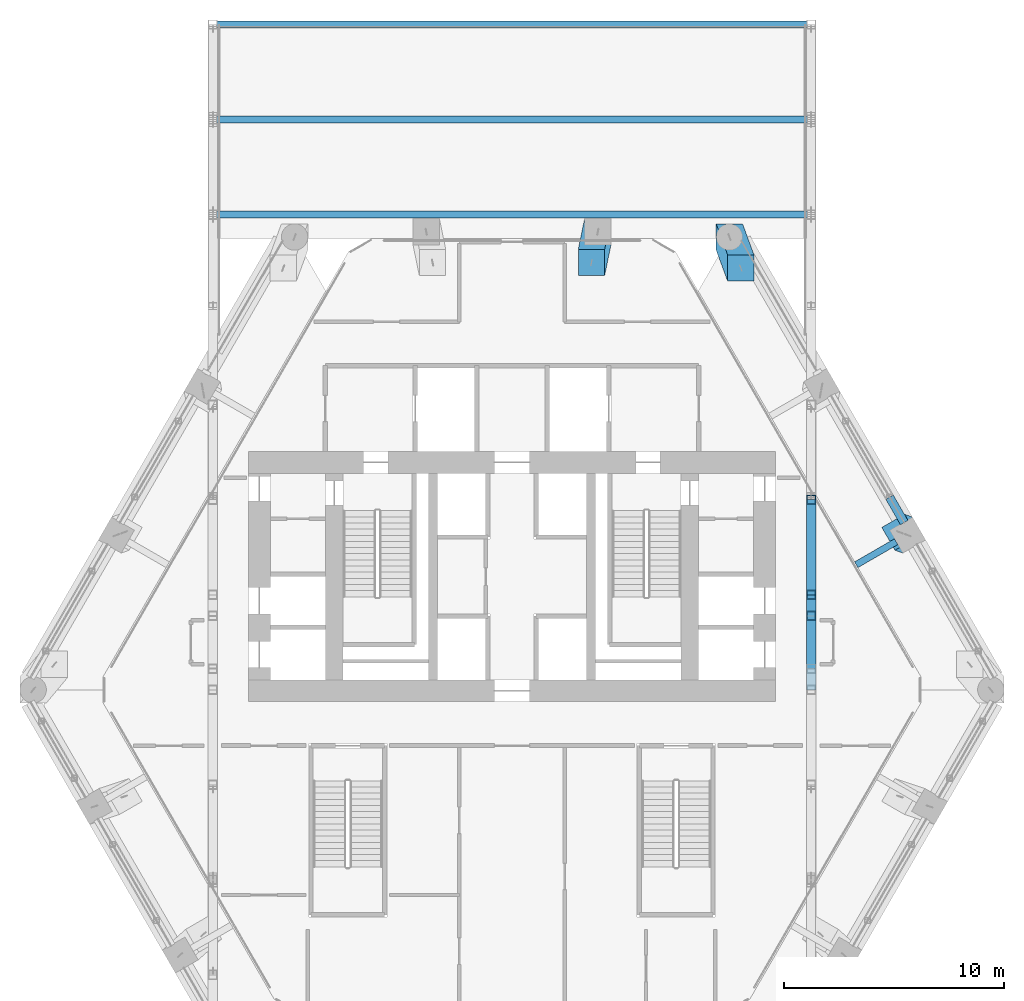
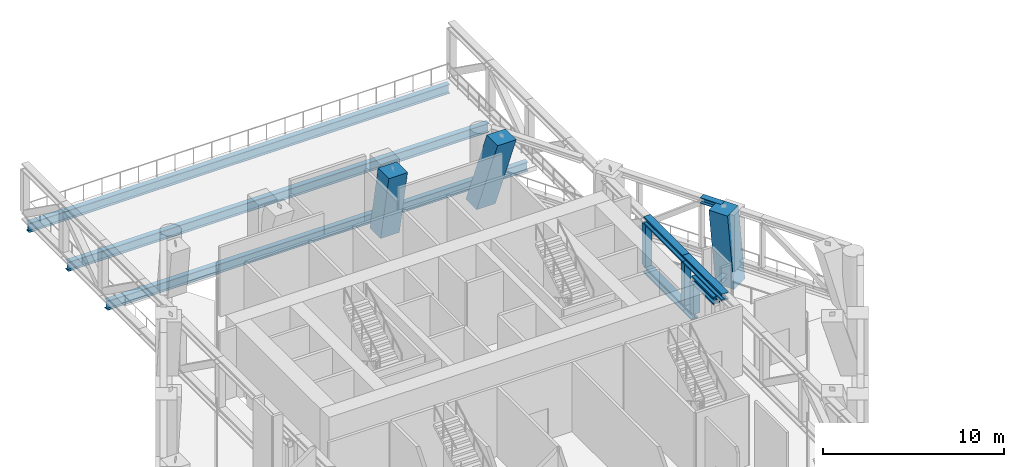
# One storey, part 7 of 22: 12 members, 4 beams.
"""IFC4 building model written with IfcOpenShell, lengths in metres."""

from ifc_helpers import new_model, si_unit, direction, frame, origin, origin_2d, place, context, subcontext, project, spatial, rectangle, hollow_rectangle, i_section, extrude, material, material_profile, profile_set, type_object, element, save


model = new_model("IFC4")

# Units and contexts
model_context = context("Model", 3, precision=1e-05, world=origin(), true_north=direction((0.0, 1.0)))
body_context = subcontext(model_context, "Body", "Model", "MODEL_VIEW")
ifc_project = project(units=[si_unit("LENGTHUNIT", "METRE"), si_unit("AREAUNIT", "SQUARE_METRE"), si_unit("VOLUMEUNIT", "CUBIC_METRE"), si_unit("PLANEANGLEUNIT", "RADIAN"), si_unit("MASSUNIT", "GRAM", prefix="KILO")], contexts=[model_context])

# Site, building, storey
site_placement = place(None, origin())
site = spatial("IfcSite", under=ifc_project, at=site_placement, CompositionType="ELEMENT")
building_placement = place(site_placement, origin())
building = spatial("IfcBuilding", under=site, at=building_placement, Name="Ostrander Bayou Hotel Tower", CompositionType="ELEMENT")
storey_placement = place(building_placement, frame((0.0, 0.0, 146.0)))
storey = spatial("IfcBuildingStorey", under=building, at=storey_placement, Name="L36", CompositionType="ELEMENT", Elevation=146.0)

# Members
ifc_material_1 = material(Name="Steel ASTM A992", Category="steel")
ifc_material_profile_1 = material_profile(ifc_material_1, i_section(OverallWidth=0.3955078125, OverallDepth=0.38037109375, WebThickness=0.01904296875, FlangeThickness=0.0302734375, at=origin_2d()))
ifc_profile_set_1 = profile_set([ifc_material_profile_1], Name="Steel ASTM A992")
member_type_1 = type_object("IfcMemberType", Name="BT3 belt truss chord W14x159", PredefinedType="CHORD", material=ifc_profile_set_1)
member_1_placement = place(storey_placement, frame((17.857421875, 6.45703125, 3.60986328125), z_axis=(-0.499975827765, 0.866039359181, 0.0), x_axis=(-0.866039359181, -0.499975827765, 0.0)))
element("IfcMember", 1, at=member_1_placement, inside=storey, type_object=member_type_1, Name="BT3 L36 NE-2T1", PredefinedType="CHORD", context=body_context, shape_type="SweptSolid", body=[
    extrude(i_section(OverallWidth=0.3955078125, OverallDepth=0.38037109375, WebThickness=0.01904296875, FlangeThickness=0.0302734375, at=origin_2d()), origin(), (0.0, 0.0, 1.0), 1.33447265625),
])
ifc_material_2 = material(Name="Concrete f'c 70 MPa", Category="concrete")
ifc_material_profile_2 = material_profile(ifc_material_2, rectangle(XDim=1.199951171875, YDim=1.199951171875, at=origin_2d()))
ifc_profile_set_2 = profile_set([ifc_material_profile_2], Name="Concrete f'c 70 MPa")
member_type_2 = type_object("IfcMemberType", Name="KC2 kinked column 1200 x 1200 mm f'c 70 MPa", PredefinedType="STRUT", material=ifc_profile_set_2)
member_2_placement = place(storey_placement, frame((9.899169921875, 19.458740234375, -1.199951171875), z_axis=(0.0, 0.0, 1.0), x_axis=(1.0, 0.0, 0.0)))
element("IfcMember", 2, at=member_2_placement, inside=storey, type_object=member_type_2, Name="KC2 L36 K5", PredefinedType="STRUT", context=body_context, shape_type="SweptSolid", body=[
    extrude(rectangle(XDim=1.199951171875, YDim=1.199951171875, at=origin_2d()), origin(), (0.099446059846, -0.270659727526, 0.95752482635), 5.2216796875),
])
member_3_placement = place(storey_placement, frame((3.90673828125, 19.699951171875, -1.199951171875), z_axis=(0.0, 0.0, 1.0), x_axis=(1.0, 0.0, 0.0)))
element("IfcMember", 3, at=member_3_placement, inside=storey, type_object=member_type_2, Name="KC2 L36 N1", PredefinedType="STRUT", context=body_context, shape_type="SweptSolid", body=[
    extrude(rectangle(XDim=1.199951171875, YDim=1.199951171875, at=origin_2d()), origin(), (-0.055491962132, -0.269197048107, 0.961485096832), 5.2001953125),
])
member_4_placement = place(storey_placement, frame((18.012451171875, 5.888427734375, -1.199951171875), z_axis=(0.0, 0.0, 1.0), x_axis=(0.5, -0.866025403784, 0.0)))
element("IfcMember", 4, at=member_4_placement, inside=storey, type_object=member_type_2, Name="KC2 L36 NE1", PredefinedType="STRUT", context=body_context, shape_type="SweptSolid", body=[
    extrude(rectangle(XDim=1.199951171875, YDim=1.199951171875, at=origin_2d()), origin(), (-0.057558879704, -0.048570984224, 0.997159884301), 5.01416015625),
])

# Beams
ifc_material_3 = material(Name="Steel ASTM A992", Category="steel")
ifc_material_profile_3 = material_profile(ifc_material_3, i_section(OverallWidth=0.3046875, OverallDepth=0.307861328125, WebThickness=0.010009765625, FlangeThickness=0.015380859375, at=origin_2d()))
ifc_profile_set_3 = profile_set([ifc_material_profile_3], Name="Steel ASTM A992")
beam_type_1 = type_object("IfcBeamType", Name="LB1 loggia bracket W12x65", PredefinedType="BEAM", material=ifc_profile_set_3)
beam_placement = place(storey_placement, frame((17.492919921875, 5.58837890625, -0.453857421875), z_axis=(-0.866009402589, -0.500027713859, 0.0), x_axis=(0.500027713859, -0.866009402589, 0.0)))
element("IfcBeam", 5, at=beam_placement, inside=storey, type_object=beam_type_1, Name="LB1 L36 NE1", PredefinedType="BEAM", context=body_context, shape_type="SweptSolid", body=[
    extrude(i_section(OverallWidth=0.3046875, OverallDepth=0.307861328125, WebThickness=0.010009765625, FlangeThickness=0.015380859375, at=origin_2d()), origin(), (0.0, 0.0, 1.0), 2.10009765625),
])
ifc_material_4 = material(Name="Steel ASTM A992", Category="steel")
ifc_material_profile_4 = material_profile(ifc_material_4, i_section(OverallWidth=0.32763671875, OverallDepth=0.621826171875, WebThickness=0.015380859375, FlangeThickness=0.0244140625, at=origin_2d()))
ifc_profile_set_4 = profile_set([ifc_material_profile_4], Name="Steel ASTM A992")
beam_type_2 = type_object("IfcBeamType", Name="TF1 bar floor beam W24x131", PredefinedType="BEAM", material=ifc_profile_set_4)
for number, where, z_axis, x_axis, name in (
    (6, (-13.442138671875, 29.13720703125, -0.61083984375), (1.0, 0.0, 0.0), (0.0, 1.0, 0.0), "TF1 SB3W L5-1"),
    (7, (-13.442138671875, 24.809326171875, -0.61083984375), (1.0, 0.0, 0.0), (0.0, 1.0, 0.0), "TF1 SB3W L5-2"),
    (8, (-13.442138671875, 20.481689453125, -0.61083984375), (1.0, 0.0, 0.0), (0.0, 1.0, 0.0), "TF1 SB3W L5-3"),
):
    element("IfcBeam", number, at=place(storey_placement, frame(where, z_axis=z_axis, x_axis=x_axis)), inside=storey, type_object=beam_type_2, Name=name, PredefinedType="BEAM", context=body_context, shape_type="SweptSolid", body=[
        extrude(i_section(OverallWidth=0.32763671875, OverallDepth=0.621826171875, WebThickness=0.015380859375, FlangeThickness=0.0244140625, at=origin_2d()), origin(), (0.0, 0.0, 1.0), 26.88427734375),
    ])

# Members
ifc_material_5 = material(Name="Steel ASTM A992", Category="steel")
ifc_material_profile_5 = material_profile(ifc_material_5, i_section(OverallWidth=0.43212890625, OverallDepth=0.497802734375, WebThickness=0.0556640625, FlangeThickness=0.0888671875, at=origin_2d()))
ifc_profile_set_5 = profile_set([ifc_material_profile_5], Name="Steel ASTM A992")
member_type_3 = type_object("IfcMemberType", Name="TT1 through-truss chord W14x500", PredefinedType="CHORD", material=ifc_profile_set_5)
for number, where, z_axis, x_axis, name in (
    (9, (13.6201171875, 7.498779296875, 0.248779296875), (0.0, -1.0, 0.0), (1.0, 0.0, 0.0), "TT1 SB3B B6"),
    (10, (13.6201171875, 7.498779296875, 3.551025390625), (0.0, -1.0, 0.0), (1.0, 0.0, 0.0), "TT1 SB3B T6"),
):
    element("IfcMember", number, at=place(storey_placement, frame(where, z_axis=z_axis, x_axis=x_axis)), inside=storey, type_object=member_type_3, Name=name, PredefinedType="CHORD", context=body_context, shape_type="SweptSolid", body=[
        extrude(i_section(OverallWidth=0.43212890625, OverallDepth=0.497802734375, WebThickness=0.0556640625, FlangeThickness=0.0888671875, at=origin_2d()), origin(), (0.0, 0.0, 1.0), 4.32763671875),
    ])
member_5_placement = place(storey_placement, frame((13.6201171875, 3.171142578125, 0.248779296875), z_axis=(0.0, -1.0, 0.0), x_axis=(1.0, 0.0, 0.0)))
element("IfcMember", 11, at=member_5_placement, inside=storey, type_object=member_type_3, Name="TT1 SB3B B7", PredefinedType="CHORD", context=body_context, shape_type="SweptSolid", body=[
    extrude(i_section(OverallWidth=0.43212890625, OverallDepth=0.497802734375, WebThickness=0.0556640625, FlangeThickness=0.0888671875, at=origin_2d()), origin(), (0.0, 0.0, 1.0), 0.963623046875),
])
member_6_placement = place(storey_placement, frame((13.6201171875, 2.20751953125, 2.748779296875), z_axis=(0.0, -1.0, 0.0), x_axis=(1.0, 0.0, 0.0)))
element("IfcMember", 12, at=member_6_placement, inside=storey, type_object=member_type_3, Name="TT1 SB3B B7 (over the passage)", PredefinedType="CHORD", context=body_context, shape_type="SweptSolid", body=[
    extrude(i_section(OverallWidth=0.43212890625, OverallDepth=0.497802734375, WebThickness=0.0556640625, FlangeThickness=0.0888671875, at=origin_2d()), origin(), (0.0, 0.0, 1.0), 2.400146484375),
])
member_7_placement = place(storey_placement, frame((13.6201171875, 3.171142578125, 3.551025390625), z_axis=(0.0, -1.0, 0.0), x_axis=(1.0, 0.0, 0.0)))
element("IfcMember", 13, at=member_7_placement, inside=storey, type_object=member_type_3, Name="TT1 SB3B T7", PredefinedType="CHORD", context=body_context, shape_type="SweptSolid", body=[
    extrude(i_section(OverallWidth=0.43212890625, OverallDepth=0.497802734375, WebThickness=0.0556640625, FlangeThickness=0.0888671875, at=origin_2d()), origin(), (0.0, 0.0, 1.0), 4.32763671875),
])
ifc_material_6 = material(Name="Steel ASTM A572 Gr 50", Category="steel")
ifc_material_profile_6 = material_profile(ifc_material_6, hollow_rectangle(XDim=0.406494140625, YDim=0.406494140625, WallThickness=0.017822265625, at=origin_2d()))
ifc_profile_set_6 = profile_set([ifc_material_profile_6], Name="Steel ASTM A572 Gr 50")
member_type_4 = type_object("IfcMemberType", Name="TT4 through-truss post box 16 x 16 x 3/4", PredefinedType="POST", material=ifc_profile_set_6)
for number, where, z_axis, x_axis, name in (
    (14, (13.6201171875, 7.498779296875, 0.497802734375), (0.0, 0.0, 1.0), (1.0, 0.0, 0.0), "TT4 SB3B P6"),
    (15, (13.6201171875, 3.171142578125, 0.497802734375), (0.0, 0.0, 1.0), (1.0, 0.0, 0.0), "TT4 SB3B P7"),
):
    element("IfcMember", number, at=place(storey_placement, frame(where, z_axis=z_axis, x_axis=x_axis)), inside=storey, type_object=member_type_4, Name=name, PredefinedType="POST", context=body_context, shape_type="SweptSolid", body=[
        extrude(hollow_rectangle(XDim=0.406494140625, YDim=0.406494140625, WallThickness=0.017822265625, at=origin_2d()), origin(), (0.0, 0.0, 1.0), 2.804443359375),
    ])
member_8_placement = place(storey_placement, frame((13.6201171875, 2.20751953125, 0.497802734375), z_axis=(0.0, 0.0, 1.0), x_axis=(1.0, 0.0, 0.0)))
element("IfcMember", 16, at=member_8_placement, inside=storey, type_object=member_type_4, Name="TT4 SB3B KN7a", PredefinedType="POST", context=body_context, shape_type="SweptSolid", body=[
    extrude(hollow_rectangle(XDim=0.406494140625, YDim=0.406494140625, WallThickness=0.017822265625, at=origin_2d()), origin(), (0.0, 0.0, 1.0), 2.002197265625),
])

save(model, "model.ifc")
